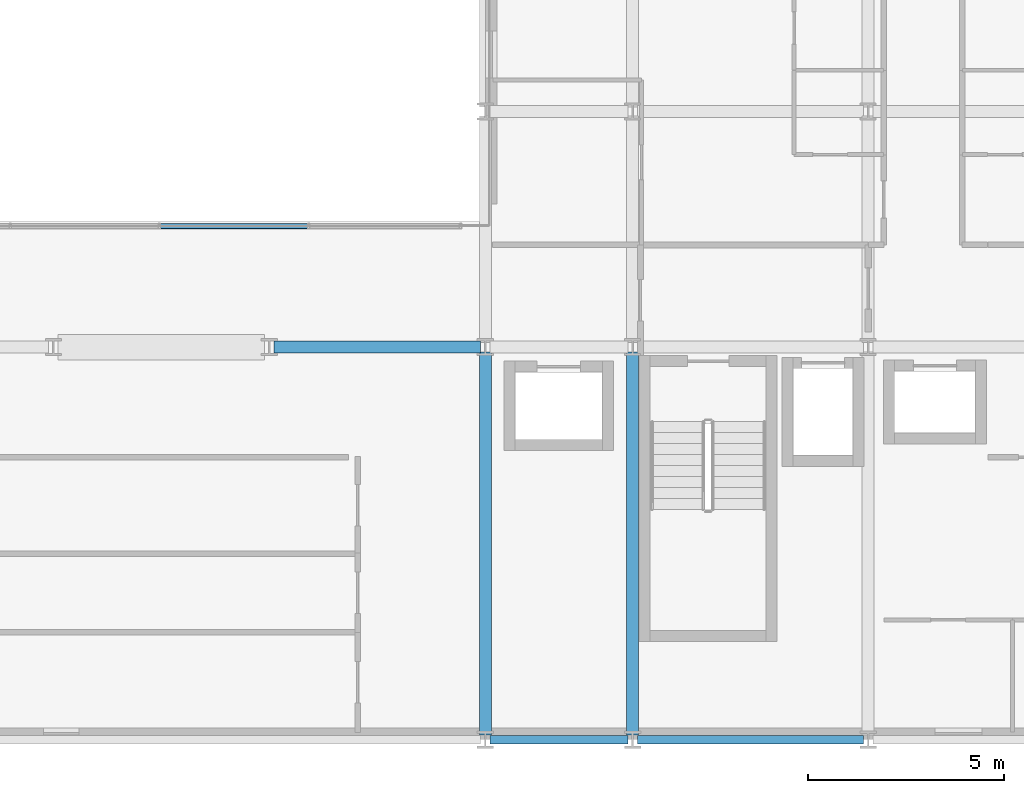
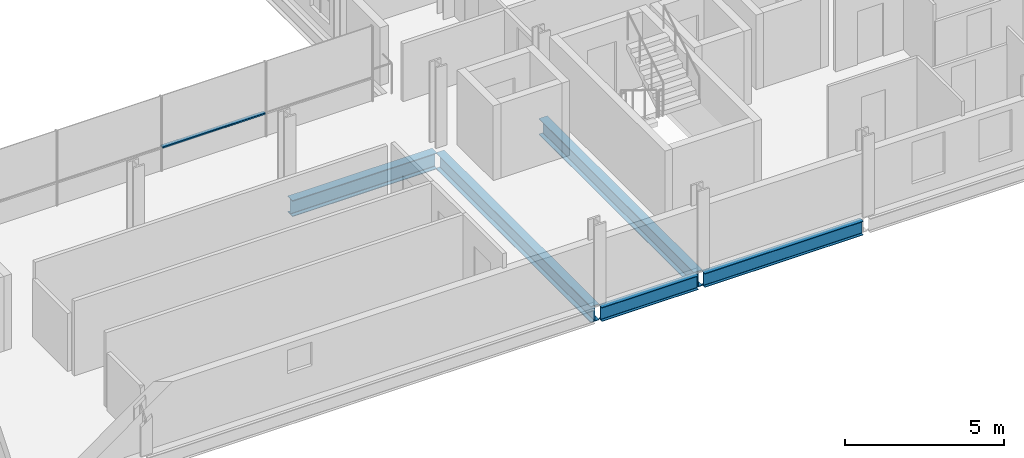
# One storey, part 12 of 39: 5 beams, 1 member, 1 element without a shape of its own.
"""IFC4 building model written with IfcOpenShell, lengths in metres."""

from ifc_helpers import new_model, si_unit, direction, frame, origin, origin_2d, place, context, subcontext, project, spatial, hollow_rectangle, i_section, extrude, material, layer, layer_set, material_profile, profile_set, type_object, element, aggregate, save


model = new_model("IFC4")

# Units and contexts
model_context = context("Model", 3, precision=1e-05, world=origin(), true_north=direction((0.0, 1.0)))
body_context = subcontext(model_context, "Body", "Model", "MODEL_VIEW")
ifc_project = project(units=[si_unit("LENGTHUNIT", "METRE"), si_unit("AREAUNIT", "SQUARE_METRE"), si_unit("VOLUMEUNIT", "CUBIC_METRE"), si_unit("PLANEANGLEUNIT", "RADIAN"), si_unit("MASSUNIT", "GRAM", prefix="KILO")], contexts=[model_context])

# Site, building, storey
site_placement = place(None, origin())
site = spatial("IfcSite", under=ifc_project, at=site_placement, CompositionType="ELEMENT")
building_placement = place(site_placement, origin())
building = spatial("IfcBuilding", under=site, at=building_placement, Name="Brevholm Reach", CompositionType="ELEMENT")
storey_placement = place(building_placement, frame((0.0, 0.0, 83.800048828125)))
storey = spatial("IfcBuildingStorey", under=building, at=storey_placement, Name="L24", CompositionType="ELEMENT", Elevation=83.800048828125)

# Beams
ifc_material_1 = material(Name="Structural Steel S355J2", Category="steel")
ifc_material_profile_1 = material_profile(ifc_material_1, i_section(OverallWidth=0.210693359375, OverallDepth=0.53955078125, WebThickness=0.01171875, FlangeThickness=0.018798828125, FilletRadius=0.0126953125, at=origin_2d()), Name="UKB 533x210x109")
ifc_profile_set_1 = profile_set([ifc_material_profile_1], Name="Structural Steel S355J2")
beam_type_1 = type_object("IfcBeamType", Name="BM-SP539", PredefinedType="SPANDREL", material=ifc_profile_set_1)
beam_1_placement = place(storey_placement, frame((38.3701171875, 0.0, -0.499755859375), z_axis=(1.0, 0.0, 0.0), x_axis=(0.0, 1.0, 0.0)))
element("IfcBeam", 1, at=beam_1_placement, inside=storey, type_object=beam_type_1, Name="L24 SP-01B Framing Beam", PredefinedType="SPANDREL", context=body_context, shape_type="SweptSolid", body=[
    extrude(i_section(OverallWidth=0.210693359375, OverallDepth=0.53955078125, WebThickness=0.01171875, FlangeThickness=0.018798828125, FilletRadius=0.0126953125, at=origin_2d()), origin(), (0.0, 0.0, 1.0), 3.509765625),
])
beam_2_placement = place(storey_placement, frame((42.1201171875, 0.0, -0.499755859375), z_axis=(1.0, 0.0, 0.0), x_axis=(0.0, 1.0, 0.0)))
element("IfcBeam", 2, at=beam_2_placement, inside=storey, type_object=beam_type_1, Name="L24 SP-01B Framing Beam", PredefinedType="SPANDREL", context=body_context, shape_type="SweptSolid", body=[
    extrude(i_section(OverallWidth=0.210693359375, OverallDepth=0.53955078125, WebThickness=0.01171875, FlangeThickness=0.018798828125, FilletRadius=0.0126953125, at=origin_2d()), origin(), (0.0, 0.0, 1.0), 5.759765625),
])
ifc_material_2 = material(Name="Structural Steel S355J2", Category="steel")
ifc_material_profile_2 = material_profile(ifc_material_2, i_section(OverallWidth=0.30712890625, OverallDepth=0.6201171875, WebThickness=0.01416015625, FlangeThickness=0.023681640625, FilletRadius=0.0166015625, at=origin_2d()), Name="UKB 610x305x179")
ifc_profile_set_2 = profile_set([ifc_material_profile_2], Name="Structural Steel S355J2")
beam_type_2 = type_object("IfcBeamType", Name="BM-UKB610H", PredefinedType="USERDEFINED", material=ifc_profile_set_2)
beam_3_placement = place(storey_placement, frame((32.8701171875, 10.0, -0.5400390625), z_axis=(1.0, 0.0, 0.0), x_axis=(0.0, 1.0, 0.0)))
element("IfcBeam", 3, at=beam_3_placement, inside=storey, type_object=beam_type_2, Name="L24 G-06 Framing Beam", ObjectType="GIRDER", PredefinedType="USERDEFINED", context=body_context, shape_type="SweptSolid", body=[
    extrude(i_section(OverallWidth=0.30712890625, OverallDepth=0.6201171875, WebThickness=0.01416015625, FlangeThickness=0.023681640625, FilletRadius=0.0166015625, at=origin_2d()), origin(), (0.0, 0.0, 1.0), 5.259765625),
])
for number, where, z_axis, x_axis, name in (
    (4, (38.25, 0.1201171875, -0.5400390625), (0.0, 1.0, 0.0), (-1.0, 0.0, 0.0), "L24 G-06 Framing Beam"),
    (5, (42.0, 0.1201171875, -0.5400390625), (0.0, 1.0, 0.0), (-1.0, 0.0, 0.0), "L24 G-06 Framing Beam"),
):
    element("IfcBeam", number, at=place(storey_placement, frame(where, z_axis=z_axis, x_axis=x_axis)), inside=storey, type_object=beam_type_2, Name=name, ObjectType="GIRDER", PredefinedType="USERDEFINED", context=body_context, shape_type="SweptSolid", body=[
        extrude(i_section(OverallWidth=0.30712890625, OverallDepth=0.6201171875, WebThickness=0.01416015625, FlangeThickness=0.023681640625, FilletRadius=0.0166015625, at=origin_2d()), origin(), (0.0, 0.0, 1.0), 9.759765625),
    ])

# Curtain wall, member
ifc_material_3 = material(Name="Dark Anodised Aluminium 6063-T6 and Solar-Control Glass", Category="aluminium")
ifc_layer = layer(ifc_material_3, 0.139892578125)
ifc_layer_set = layer_set([ifc_layer], Name="Dark Anodised Aluminium 6063-T6 and Solar-Control Glass")
curtain_wall_type = type_object("IfcCurtainWallType", Name="CW-02", PredefinedType="NOTDEFINED", material=ifc_layer_set)
curtain_wall_placement = place(storey_placement, origin())
curtain_wall = element("IfcCurtainWall", 6, at=curtain_wall_placement, inside=storey, type_object=curtain_wall_type, Name="L24 Curtain Wall CW-02", PredefinedType="NOTDEFINED")
ifc_material_4 = material(Name="Dark Anodised Aluminium 6063-T6", Category="aluminium")
ifc_material_profile_3 = material_profile(ifc_material_4, hollow_rectangle(XDim=0.06005859375, YDim=0.139892578125, WallThickness=0.0048828125, InnerFilletRadius=0.0048828125, OuterFilletRadius=0.010009765625, at=origin_2d()), Name="RHS 140x60x5")
ifc_profile_set_3 = profile_set([ifc_material_profile_3], Name="Dark Anodised Aluminium 6063-T6")
member_type = type_object("IfcMemberType", Name="CWT-140", PredefinedType="NOTDEFINED", material=ifc_profile_set_3)
member_placement = place(storey_placement, frame((29.97998046875, 13.080078125, 0.89990234375), z_axis=(1.0, 0.0, 0.0), x_axis=(0.0, 0.0, 1.0)))
member = element("IfcMember", 7, at=member_placement, type_object=member_type, Name="CT-140 Transom 3.1", ObjectType="TRANSOM", PredefinedType="USERDEFINED", context=body_context, shape_type="SweptSolid", body=[
    extrude(hollow_rectangle(XDim=0.06005859375, YDim=0.139892578125, WallThickness=0.0048828125, InnerFilletRadius=0.0048828125, OuterFilletRadius=0.010009765625, at=origin_2d()), origin(), (0.0, 0.0, 1.0), 3.739990234375),
])
aggregate(curtain_wall, [member])

save(model, "model.ifc")
